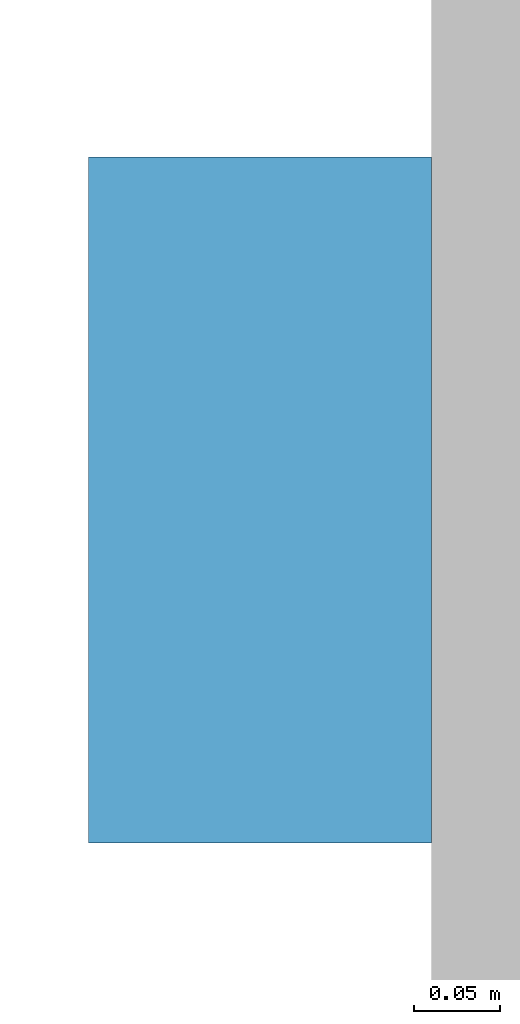
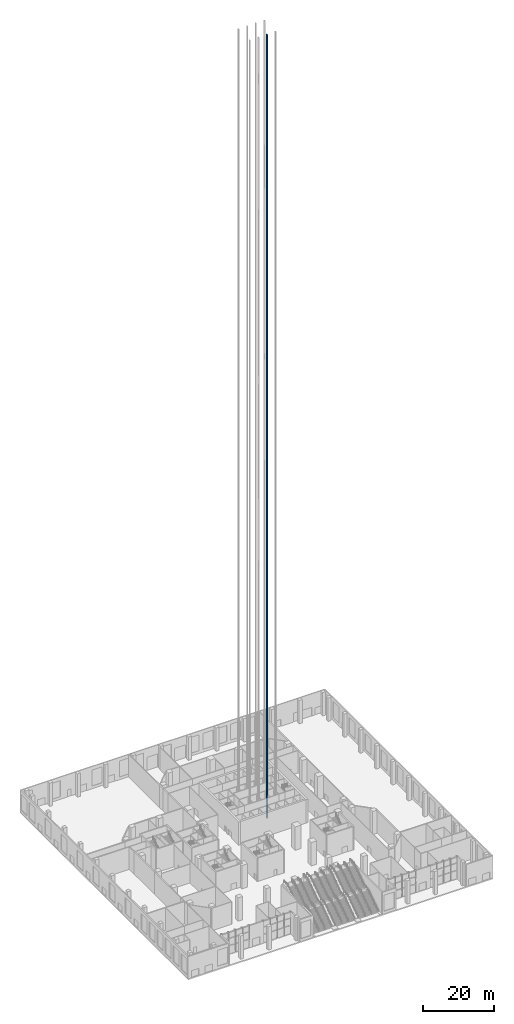
# One storey, part 25 of 32: 1 discrete accessory.
"""IFC4 building model written with IfcOpenShell, lengths in metres."""

from ifc_helpers import new_model, si_unit, direction, frame, origin, origin_2d, place, context, subcontext, project, spatial, rectangle, extrude, material, element, save


model = new_model("IFC4")

# Units and contexts
model_context = context("Model", 3, precision=1e-05, world=origin(), true_north=direction((0.0, 1.0)))
body_context = subcontext(model_context, "Body", "Model", "MODEL_VIEW")
ifc_project = project(units=[si_unit("LENGTHUNIT", "METRE"), si_unit("AREAUNIT", "SQUARE_METRE"), si_unit("VOLUMEUNIT", "CUBIC_METRE"), si_unit("PLANEANGLEUNIT", "RADIAN"), si_unit("MASSUNIT", "GRAM", prefix="KILO")], contexts=[model_context])

# Site, building, storey
site_placement = place(None, origin())
site = spatial("IfcSite", under=ifc_project, at=site_placement, CompositionType="ELEMENT")
building_placement = place(site_placement, origin())
building = spatial("IfcBuilding", under=site, at=building_placement, Name="Quoin Convention Tower", CompositionType="ELEMENT")
storey_placement = place(building_placement, origin())
storey = spatial("IfcBuildingStorey", under=building, at=storey_placement, Name="L00", CompositionType="ELEMENT", Elevation=0.0)

# Discrete accessory
ifc_material = material(Name="Galvanised steel", Category="steel")
discrete_accessory_placement = place(storey_placement, frame((58.85009765625, 57.60009765625, -0.35009765625), z_axis=(0.0, 0.0, 1.0), x_axis=(1.0, 0.0, 0.0)))
element("IfcDiscreteAccessory", 1, at=discrete_accessory_placement, inside=storey, material=ifc_material, Name="LIFT GUIDE RAILS H3", ObjectType="Lift guide rails", PredefinedType="USERDEFINED", context=body_context, shape_type="SweptSolid", body=[
    extrude(rectangle(XDim=0.199951171875, YDim=0.39990234375, at=origin_2d()), origin(), (0.0, 0.0, 1.0), 268.800048828125),
])

save(model, "model.ifc")
